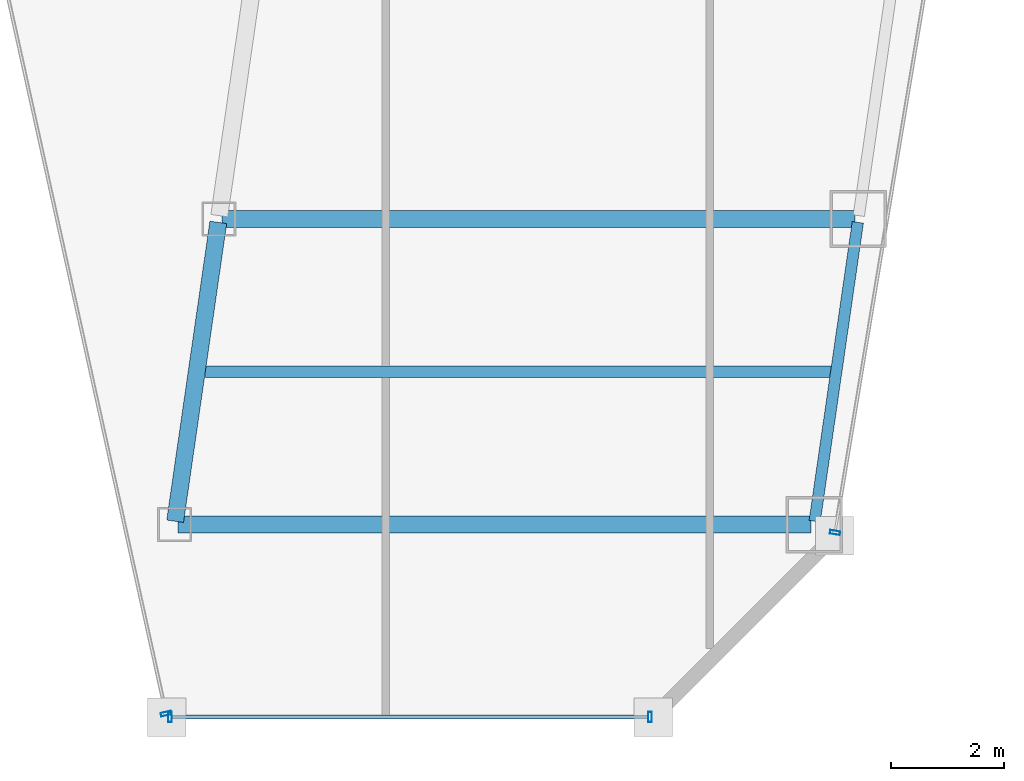
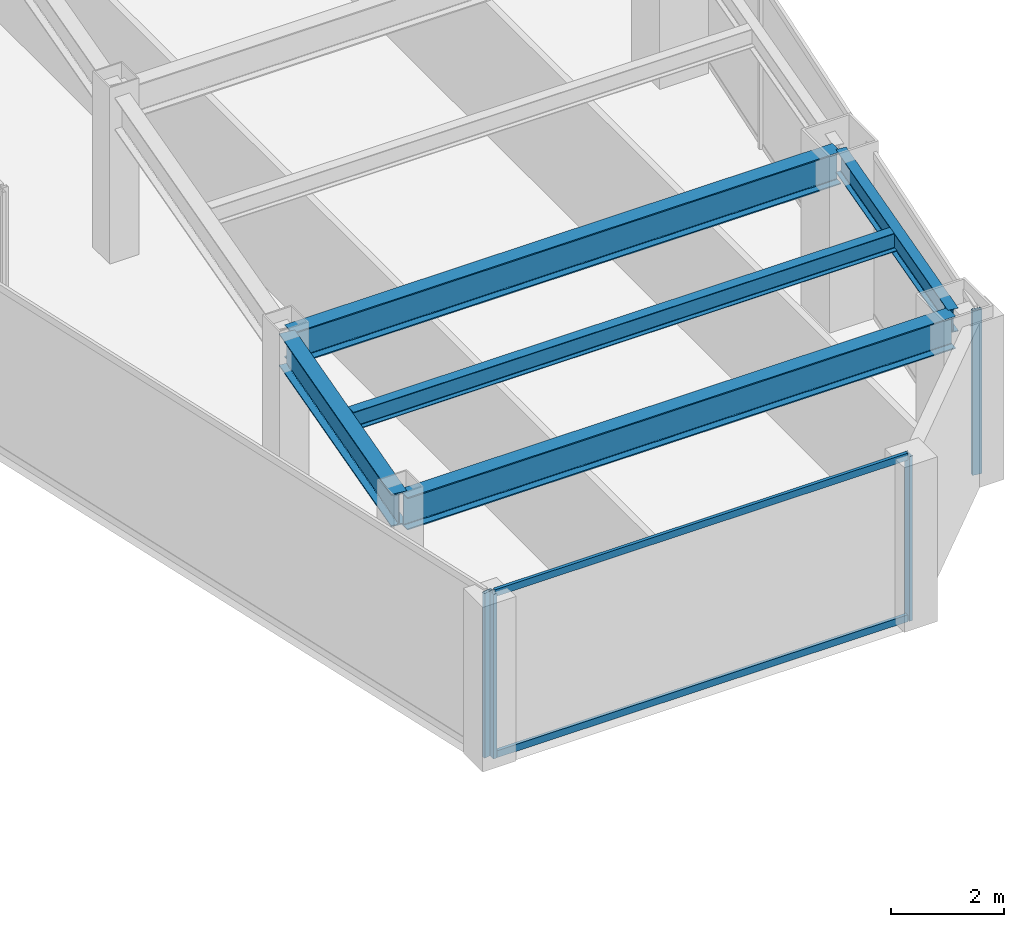
# One storey, part 15 of 38: 6 members, 5 beams, 3 elements without a shape of their own.
"""IFC4 building model written with IfcOpenShell, lengths in metres."""

from ifc_helpers import new_model, si_unit, direction, frame, origin, origin_2d, place, context, subcontext, project, spatial, hollow_rectangle, i_section, extrude, material, material_profile, profile_set, type_object, element, aggregate, save


model = new_model("IFC4")

# Units and contexts
model_context = context("Model", 3, precision=1e-05, world=origin(), true_north=direction((0.0, 1.0)))
body_context = subcontext(model_context, "Body", "Model", "MODEL_VIEW")
ifc_project = project(units=[si_unit("LENGTHUNIT", "METRE"), si_unit("AREAUNIT", "SQUARE_METRE"), si_unit("VOLUMEUNIT", "CUBIC_METRE"), si_unit("PLANEANGLEUNIT", "RADIAN"), si_unit("MASSUNIT", "GRAM", prefix="KILO")], contexts=[model_context])

# Site, building, storey
site_placement = place(None, origin())
site = spatial("IfcSite", under=ifc_project, at=site_placement, CompositionType="ELEMENT")
building_placement = place(site_placement, origin())
building = spatial("IfcBuilding", under=site, at=building_placement, Name="Saevonmaru Cultural Tower", CompositionType="ELEMENT")
storey_placement = place(building_placement, frame((0.0, 0.0, 137.199951171875)))
storey = spatial("IfcBuildingStorey", under=building, at=storey_placement, Name="L29", CompositionType="ELEMENT", Elevation=137.199951171875)

# Beams
ifc_material_1 = material(Name="Steel SM355", Category="steel")
ifc_material_profile_1 = material_profile(ifc_material_1, i_section(OverallWidth=0.300048828125, OverallDepth=0.699951171875, WebThickness=0.012939453125, FlangeThickness=0.02392578125, FilletRadius=0.02587890625, at=origin_2d()), Name="H-700x300x13x24")
ifc_profile_set_1 = profile_set([ifc_material_profile_1], Name="Steel SM355")
beam_type_1 = type_object("IfcBeamType", Name="BM-G-H700", PredefinedType="BEAM", material=ifc_profile_set_1)
beam_1_placement = place(storey_placement, frame((37.300537109375, 10.659423828125, 3.199951171875), z_axis=(0.142977693794, 0.989725911087, 0.0), x_axis=(-0.989725911087, 0.142977693794, 0.0)))
element("IfcBeam", 1, at=beam_1_placement, inside=storey, type_object=beam_type_1, Name="L29 East Atrium Girder 1", PredefinedType="BEAM", context=body_context, shape_type="SweptSolid", body=[
    extrude(i_section(OverallWidth=0.300048828125, OverallDepth=0.699951171875, WebThickness=0.012939453125, FlangeThickness=0.02392578125, FilletRadius=0.02587890625, at=origin_2d()), origin(), (0.0, 0.0, 1.0), 5.336181640625),
])
for number, where, z_axis, x_axis, name in (
    (2, (37.35205078125, 10.60009765625, 3.199951171875), (1.0, 0.0, 0.0), (0.0, 1.0, 0.0), "L29 East Wing Transverse Girder 1"),
    (3, (38.132080078125, 16.0, 3.199951171875), (1.0, 0.0, 0.0), (0.0, 1.0, 0.0), "L29 East Wing Transverse Girder 2"),
):
    element("IfcBeam", number, at=place(storey_placement, frame(where, z_axis=z_axis, x_axis=x_axis)), inside=storey, type_object=beam_type_1, Name=name, PredefinedType="BEAM", context=body_context, shape_type="SweptSolid", body=[
        extrude(i_section(OverallWidth=0.300048828125, OverallDepth=0.699951171875, WebThickness=0.012939453125, FlangeThickness=0.02392578125, FilletRadius=0.02587890625, at=origin_2d()), origin(), (0.0, 0.0, 1.0), 11.179931640625),
    ])
ifc_material_profile_2 = material_profile(ifc_material_1, i_section(OverallWidth=0.199951171875, OverallDepth=0.39990234375, WebThickness=0.008056640625, FlangeThickness=0.012939453125, FilletRadius=0.01611328125, at=origin_2d()), Name="H-400x200x8x13")
ifc_profile_set_2 = profile_set([ifc_material_profile_2], Name="Steel SM355")
beam_type_2 = type_object("IfcBeamType", Name="BM-J-H400", PredefinedType="JOIST", material=ifc_profile_set_2)
beam_2_placement = place(storey_placement, frame((37.840087890625, 13.300048828125, 3.35009765625), z_axis=(1.0, 0.0, 0.0), x_axis=(0.0, 1.0, 0.0)))
element("IfcBeam", 4, at=beam_2_placement, inside=storey, type_object=beam_type_2, Name="L29 East Wing Floor Joist 1", PredefinedType="JOIST", context=body_context, shape_type="SweptSolid", body=[
    extrude(i_section(OverallWidth=0.199951171875, OverallDepth=0.39990234375, WebThickness=0.008056640625, FlangeThickness=0.012939453125, FilletRadius=0.01611328125, at=origin_2d()), origin(), (0.0, 0.0, 1.0), 11.08203125),
])
ifc_material_profile_3 = material_profile(ifc_material_1, i_section(OverallWidth=0.199951171875, OverallDepth=0.5, WebThickness=0.010009765625, FlangeThickness=0.01611328125, FilletRadius=0.02001953125, at=origin_2d()), Name="H-500x200x10x16")
ifc_profile_set_3 = profile_set([ifc_material_profile_3], Name="Steel SM355")
beam_type_3 = type_object("IfcBeamType", Name="BM-SP-H500", PredefinedType="SPANDREL", material=ifc_profile_set_3)
beam_3_placement = place(storey_placement, frame((48.6005859375, 10.659423828125, 3.300048828125), z_axis=(0.1429328758, 0.989732384544, 0.0), x_axis=(-0.989732384544, 0.1429328758, 0.0)))
element("IfcBeam", 5, at=beam_3_placement, inside=storey, type_object=beam_type_3, Name="L29 East Splayed Spandrel 1", PredefinedType="SPANDREL", context=body_context, shape_type="SweptSolid", body=[
    extrude(i_section(OverallWidth=0.199951171875, OverallDepth=0.5, WebThickness=0.010009765625, FlangeThickness=0.01611328125, FilletRadius=0.02001953125, at=origin_2d()), origin(), (0.0, 0.0, 1.0), 5.3359375),
])

# Curtain wall, member
ifc_material_2 = material(Name="Satin Bronze Anodised Aluminium", Category="aluminium")
curtain_wall_type = type_object("IfcCurtainWallType", Name="CW-TYP-A", PredefinedType="NOTDEFINED", material=ifc_material_2)
curtain_wall_1_placement = place(storey_placement, origin())
curtain_wall_1 = element("IfcCurtainWall", 6, at=curtain_wall_1_placement, inside=storey, type_object=curtain_wall_type, Name="L29 Unitised Curtain Wall E5", PredefinedType="NOTDEFINED")
ifc_material_profile_4 = material_profile(ifc_material_2, hollow_rectangle(XDim=0.06494140625, YDim=0.179931640625, WallThickness=0.00390625, at=origin_2d()), Name="ALU-MULL-180x65x4")
ifc_profile_set_4 = profile_set([ifc_material_profile_4], Name="Satin Bronze Anodised Aluminium")
member_type_1 = type_object("IfcMemberType", Name="ML-CW-180x65", PredefinedType="MULLION", material=ifc_profile_set_4)
member_1_placement = place(storey_placement, frame((37.13818359375, 7.258544921875, 0.0), z_axis=(0.0, 0.0, 1.0), x_axis=(0.215413319953, -0.976522965212, 0.0)))
member_1 = element("IfcMember", 7, at=member_1_placement, type_object=member_type_1, Name="CW-TW-L29-E5 mullion 2", PredefinedType="MULLION", context=body_context, shape_type="SweptSolid", body=[
    extrude(hollow_rectangle(XDim=0.06494140625, YDim=0.179931640625, WallThickness=0.00390625, at=origin_2d()), origin(), (0.0, 0.0, 1.0), 3.550048828125),
])
aggregate(curtain_wall_1, [member_1])

# Curtain wall, members
curtain_wall_2_placement = place(storey_placement, origin())
curtain_wall_2 = element("IfcCurtainWall", 8, at=curtain_wall_2_placement, inside=storey, type_object=curtain_wall_type, Name="L29 Unitised Curtain Wall E6", PredefinedType="NOTDEFINED")
member_2_placement = place(storey_placement, frame((37.211181640625, 7.199951171875, 0.0), z_axis=(0.0, 0.0, 1.0), x_axis=(1.0, 0.0, 0.0)))
member_2 = element("IfcMember", 9, at=member_2_placement, type_object=member_type_1, Name="CW-TW-L29-E6 mullion 1", PredefinedType="MULLION", context=body_context, shape_type="SweptSolid", body=[
    extrude(hollow_rectangle(XDim=0.06494140625, YDim=0.179931640625, WallThickness=0.00390625, at=origin_2d()), origin(), (0.0, 0.0, 1.0), 3.550048828125),
])
member_3_placement = place(storey_placement, frame((45.691162109375, 7.199951171875, 0.0), z_axis=(0.0, 0.0, 1.0), x_axis=(1.0, 0.0, 0.0)))
member_3 = element("IfcMember", 10, at=member_3_placement, type_object=member_type_1, Name="CW-TW-L29-E6 mullion 2", PredefinedType="MULLION", context=body_context, shape_type="SweptSolid", body=[
    extrude(hollow_rectangle(XDim=0.06494140625, YDim=0.179931640625, WallThickness=0.00390625, at=origin_2d()), origin(), (0.0, 0.0, 1.0), 3.550048828125),
])

# Curtain wall, member
curtain_wall_3_placement = place(storey_placement, origin())
curtain_wall_3 = element("IfcCurtainWall", 11, at=curtain_wall_3_placement, inside=storey, type_object=curtain_wall_type, Name="L29 Unitised Curtain Wall E8", PredefinedType="NOTDEFINED")
member_4_placement = place(storey_placement, frame((48.9609375, 10.459228515625, 0.0), z_axis=(0.0, 0.0, 1.0), x_axis=(0.163998702345, 0.986460554523, 0.0)))
member_4 = element("IfcMember", 12, at=member_4_placement, type_object=member_type_1, Name="CW-TW-L29-E8 mullion 1", PredefinedType="MULLION", context=body_context, shape_type="SweptSolid", body=[
    extrude(hollow_rectangle(XDim=0.06494140625, YDim=0.179931640625, WallThickness=0.00390625, at=origin_2d()), origin(), (0.0, 0.0, 1.0), 3.550048828125),
])
aggregate(curtain_wall_3, [member_4])

# Member
ifc_material_profile_5 = material_profile(ifc_material_2, hollow_rectangle(XDim=0.06494140625, YDim=0.14990234375, WallThickness=0.00390625, at=origin_2d()), Name="ALU-TRAN-150x65x4")
ifc_profile_set_5 = profile_set([ifc_material_profile_5], Name="Satin Bronze Anodised Aluminium")
member_type_2 = type_object("IfcMemberType", Name="TR-CW-150x65", PredefinedType="USERDEFINED", material=ifc_profile_set_5)
member_5_placement = place(storey_placement, frame((37.24365234375, 7.199951171875, 0.032470703125), z_axis=(1.0, 0.0, 0.0), x_axis=(0.0, 1.0, 0.0)))
member_5 = element("IfcMember", 13, at=member_5_placement, type_object=member_type_2, Name="CW-TW-L29-E6 transom 1.1", ObjectType="TRANSOM", PredefinedType="USERDEFINED", context=body_context, shape_type="SweptSolid", body=[
    extrude(hollow_rectangle(XDim=0.06494140625, YDim=0.14990234375, WallThickness=0.00390625, at=origin_2d()), origin(), (0.0, 0.0, 1.0), 8.4150390625),
])

member_6_placement = place(storey_placement, frame((37.24365234375, 7.199951171875, 3.517578125), z_axis=(1.0, 0.0, 0.0), x_axis=(0.0, 1.0, 0.0)))
member_6 = element("IfcMember", 14, at=member_6_placement, type_object=member_type_2, Name="CW-TW-L29-E6 transom 1.2", ObjectType="TRANSOM", PredefinedType="USERDEFINED", context=body_context, shape_type="SweptSolid", body=[
    extrude(hollow_rectangle(XDim=0.06494140625, YDim=0.14990234375, WallThickness=0.00390625, at=origin_2d()), origin(), (0.0, 0.0, 1.0), 8.4150390625),
])

aggregate(curtain_wall_2, [member_2, member_3, member_5, member_6])

save(model, "model.ifc")
